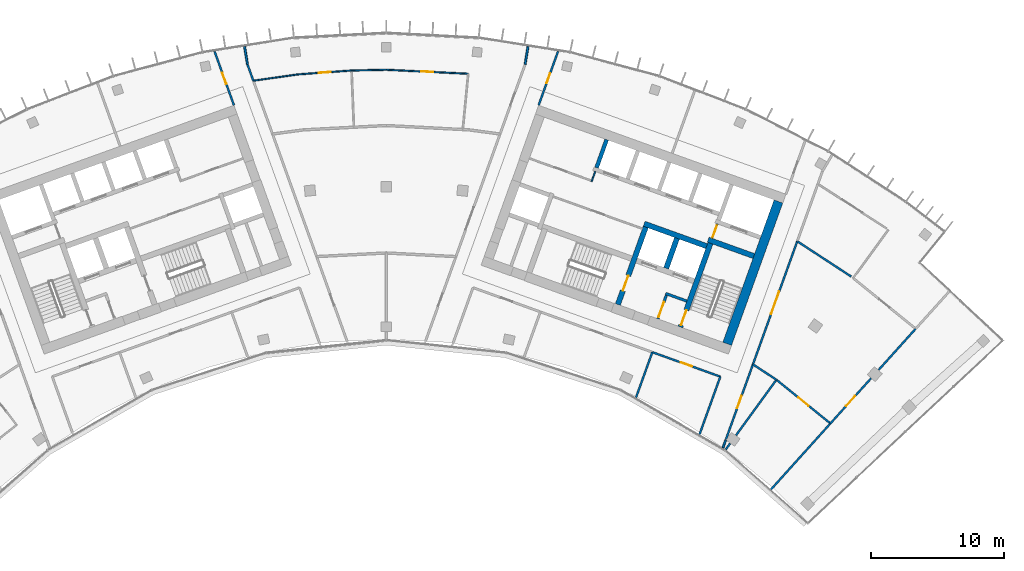
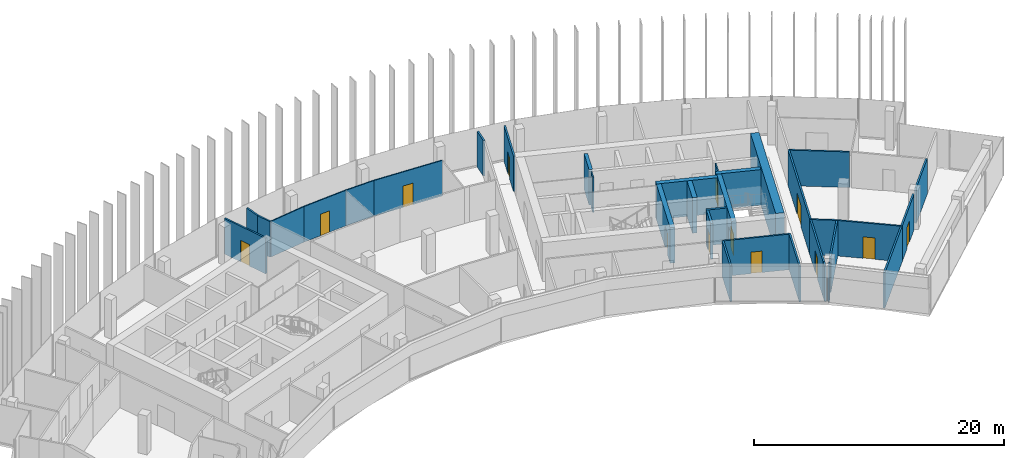
# One storey, part 16 of 18: 34 walls, 13 doors, 13 openings.
"""IFC4 building model written with IfcOpenShell, lengths in metres."""

from ifc_helpers import new_model, si_unit, direction, frame, frame_2d, origin, place, context, subcontext, project, spatial, rectangle, extrude, material, layer, layer_set, type_object, element, fill, save


model = new_model("IFC4")

# Units and contexts
model_context = context("Model", 3, precision=1e-05, world=origin(), true_north=direction((0.0, 1.0)))
body_context = subcontext(model_context, "Body", "Model", "MODEL_VIEW")
ifc_project = project(units=[si_unit("LENGTHUNIT", "METRE"), si_unit("AREAUNIT", "SQUARE_METRE"), si_unit("VOLUMEUNIT", "CUBIC_METRE"), si_unit("PLANEANGLEUNIT", "RADIAN"), si_unit("MASSUNIT", "GRAM", prefix="KILO")], contexts=[model_context])

# Site, building, storey
site_placement = place(None, origin())
site = spatial("IfcSite", under=ifc_project, at=site_placement, CompositionType="ELEMENT")
building_placement = place(site_placement, origin())
building = spatial("IfcBuilding", under=site, at=building_placement, Name="Stone Belt Terrace Tower", CompositionType="ELEMENT")
storey_placement = place(building_placement, frame((0.0, 0.0, 269.39990234375)))
storey = spatial("IfcBuildingStorey", under=building, at=storey_placement, Name="L65", CompositionType="ELEMENT", Elevation=269.39990234375)

# Wall, opening, door
ifc_material_1 = material(Name="Plasterboard partition")
ifc_layer_1 = layer(ifc_material_1, 0.10009765625)
ifc_layer_set_1 = layer_set([ifc_layer_1], Name="Core partition 100")
wall_type_1 = type_object("IfcWallType", Name="Core partition 100", PredefinedType="PARTITIONING", material=ifc_layer_set_1)
wall_1_placement = place(storey_placement, frame((24.555908203125, 51.10400390625, 0.0), z_axis=(0.0, 0.0, 1.0), x_axis=(0.338621735342, 0.94092258999, 0.0)))
wall_1 = element("IfcWall", 1, at=wall_1_placement, inside=storey, type_object=wall_type_1, Name="Core B wall", PredefinedType="PARTITIONING", context=body_context, shape_type="SweptSolid", body=[
    extrude(rectangle(XDim=1.14990234375, YDim=0.10009765625, at=frame_2d((0.574951171875, 0.0))), origin(), (0.0, 0.0, 1.0), 3.47998046875),
])
opening_1_placement = place(wall_1_placement, frame((0.050048828125, 0.0, 0.0)))
opening_1 = element("IfcOpeningElement", 2, at=opening_1_placement, cuts=wall_1, Name="Opening L65-C14", PredefinedType="OPENING", context=body_context, shape_type="SweptSolid", body=[
    extrude(rectangle(XDim=1.0, YDim=2.10009765625, at=frame_2d((0.5, 1.050048828125))), frame((0.0, 0.06005859375, 0.0), z_axis=(0.0, -1.0, 0.0), x_axis=(1.0, 0.0, 0.0)), (0.0, 0.0, 1.0), 0.1201171875),
])
ifc_material_2 = material(Name="Timber door leaf", Category="wood")
door_type_1 = type_object("IfcDoorType", Name="Core room door 1000", OperationType="SINGLE_SWING_LEFT", PredefinedType="DOOR", material=ifc_material_2)
door_1_placement = place(opening_1_placement, origin())
door_1 = element("IfcDoor", 3, at=door_1_placement, inside=storey, type_object=door_type_1, Name="Service lift lobby door core B", OperationType="SINGLE_SWING_LEFT", OverallHeight=2.10009765625, OverallWidth=1.0, PredefinedType="DOOR", context=body_context, shape_type="SweptSolid", body=[
    extrude(rectangle(XDim=1.0, YDim=2.10009765625, at=frame_2d((0.5, 1.050048828125))), frame((0.0, 0.02490234375, 0.0), z_axis=(0.0, -1.0, 0.0), x_axis=(1.0, 0.0, 0.0)), (0.0, 0.0, 1.0), 0.050048828125),
])
fill(opening_1, door_1)

# Walls
wall_2_placement = place(storey_placement, frame((15.46826171875, 55.384033203125, 0.0), z_axis=(0.0, 0.0, 1.0), x_axis=(0.338481684961, 0.940972979923, 0.0)))
element("IfcWall", 4, at=wall_2_placement, inside=storey, type_object=wall_type_1, Name="Core B wall", PredefinedType="PARTITIONING", context=body_context, shape_type="SweptSolid", body=[
    extrude(rectangle(XDim=0.7998046875, YDim=0.10009765625, at=frame_2d((0.39990234375, 0.0))), origin(), (0.0, 0.0, 1.0), 3.47998046875),
])
ifc_material_3 = material(Name="Concrete B60", Category="concrete")
ifc_layer_2 = layer(ifc_material_3, 0.699951171875)
ifc_layer_set_2 = layer_set([ifc_layer_2], Name="Core wall 700 B60")
wall_type_2 = type_object("IfcWallType", Name="Core wall 700 B60", PredefinedType="SHEAR", material=ifc_layer_set_2)
wall_3_placement = place(storey_placement, frame((25.679931640625, 43.153564453125, 0.0), z_axis=(0.0, 0.0, 1.0), x_axis=(0.338625431531, 0.940921259788, 0.0)))
element("IfcWall", 5, at=wall_3_placement, inside=storey, type_object=wall_type_2, Name="Core B wall end_b L65", PredefinedType="SHEAR", context=body_context, shape_type="SweptSolid", body=[
    extrude(rectangle(XDim=11.400146484375, YDim=0.699951171875, at=frame_2d((5.7001953125, 0.0))), origin(), (0.0, 0.0, 1.0), 3.800048828125),
])
ifc_material_4 = material(Name="Concrete B80", Category="concrete")
ifc_layer_3 = layer(ifc_material_4, 0.39990234375)
ifc_layer_set_3 = layer_set([ifc_layer_3], Name="Fire-fighting lift shaft wall 400")
wall_type_3 = type_object("IfcWallType", Name="Fire-fighting lift shaft wall 400", PredefinedType="SHEAR", material=ifc_layer_set_3)
wall_4_placement = place(storey_placement, frame((24.130615234375, 50.512939453125, 0.0), z_axis=(0.0, 0.0, 1.0), x_axis=(-0.94091168377, 0.338652038744, 0.0)))
element("IfcWall", 6, at=wall_4_placement, inside=storey, type_object=wall_type_3, Name="Core B wall", PredefinedType="SHEAR", context=body_context, shape_type="SweptSolid", body=[
    extrude(rectangle(XDim=5.000244140625, YDim=0.39990234375, at=frame_2d((2.5, 0.0))), origin(), (0.0, 0.0, 1.0), 3.47998046875),
])
wall_5_placement = place(storey_placement, frame((21.0859375, 48.845458984375, 0.0), z_axis=(0.0, 0.0, 1.0), x_axis=(0.338629416206, 0.940919825745, 0.0)))
element("IfcWall", 7, at=wall_5_placement, inside=storey, type_object=wall_type_3, Name="Core B wall", PredefinedType="SHEAR", context=body_context, shape_type="SweptSolid", body=[
    extrude(rectangle(XDim=2.400146484375, YDim=0.39990234375, at=frame_2d((1.2001953125, 0.0))), origin(), (0.0, 0.0, 1.0), 3.47998046875),
])
ifc_layer_4 = layer(ifc_material_4, 0.300048828125)
ifc_layer_set_4 = layer_set([ifc_layer_4], Name="Lift shaft wall 300")
wall_type_4 = type_object("IfcWallType", Name="Lift shaft wall 300", PredefinedType="SHEAR", material=ifc_layer_set_4)
wall_6_placement = place(storey_placement, frame((15.8408203125, 56.419189453125, 0.0), z_axis=(0.0, 0.0, 1.0), x_axis=(0.338569601369, 0.940941350472, 0.0)))
element("IfcWall", 8, at=wall_6_placement, inside=storey, type_object=wall_type_4, Name="Core B wall", PredefinedType="SHEAR", context=body_context, shape_type="SweptSolid", body=[
    extrude(rectangle(XDim=2.249755859375, YDim=0.300048828125, at=frame_2d((1.125, 0.0))), origin(), (0.0, 0.0, 1.0), 3.47998046875),
])

# Wall, opening, door
ifc_material_5 = material(Name="Gypsum board partition")
ifc_layer_5 = layer(ifc_material_5, 0.10009765625)
ifc_layer_set_5 = layer_set([ifc_layer_5], Name="PARTITION 100")
wall_type_5 = type_object("IfcWallType", Name="PARTITION 100", PredefinedType="PARTITIONING", material=ifc_layer_set_5)
wall_7_placement = place(storey_placement, frame((-2.615966796875, 63.74609375, 0.0), z_axis=(0.0, 0.0, 1.0), x_axis=(-0.997341183584, -0.072873613378, 0.0)))
wall_7 = element("IfcWall", 9, at=wall_7_placement, inside=storey, type_object=wall_type_5, Name="L65/wall/i079", PredefinedType="PARTITIONING", context=body_context, shape_type="SweptSolid", body=[
    extrude(rectangle(XDim=4.063720703125, YDim=0.10009765625, at=frame_2d((2.03173828125, 0.0))), origin(), (0.0, 0.0, 1.0), 3.47998046875),
])
opening_2_placement = place(wall_7_placement, frame((1.581787109375, 0.0, 0.0)))
opening_2 = element("IfcOpeningElement", 10, at=opening_2_placement, cuts=wall_7, Name="Opening D-E1-28", PredefinedType="OPENING", context=body_context, shape_type="SweptSolid", body=[
    extrude(rectangle(XDim=0.89990234375, YDim=2.10009765625, at=frame_2d((0.449951171875, 1.050048828125))), frame((0.0, 0.06005859375, 0.0), z_axis=(0.0, -1.0, 0.0), x_axis=(1.0, 0.0, 0.0)), (0.0, 0.0, 1.0), 0.1201171875),
])
door_type_2 = type_object("IfcDoorType", Name="OFFICE DOOR 900 X 2100", OperationType="NOTDEFINED", PredefinedType="DOOR", material=ifc_material_2)
door_2_placement = place(opening_2_placement, origin())
door_2 = element("IfcDoor", 11, at=door_2_placement, inside=storey, type_object=door_type_2, Name="L65/door/i28", OperationType="SINGLE_SWING_RIGHT", OverallHeight=2.10009765625, OverallWidth=0.89990234375, PredefinedType="DOOR", context=body_context, shape_type="SweptSolid", body=[
    extrude(rectangle(XDim=0.89990234375, YDim=2.10009765625, at=frame_2d((0.449951171875, 1.050048828125))), frame((0.0, 0.02490234375, 0.0), z_axis=(0.0, -1.0, 0.0), x_axis=(1.0, 0.0, 0.0)), (0.0, 0.0, 1.0), 0.050048828125),
])
fill(opening_2, door_2)

# Wall
wall_8_placement = place(storey_placement, frame((-6.6689453125, 63.449951171875, 0.0), z_axis=(0.0, 0.0, 1.0), x_axis=(-0.989995655043, -0.141097849012, 0.0)))
element("IfcWall", 12, at=wall_8_placement, inside=storey, type_object=wall_type_5, Name="L65/wall/i080", PredefinedType="PARTITIONING", context=body_context, shape_type="SweptSolid", body=[
    extrude(rectangle(XDim=3.381103515625, YDim=0.10009765625, at=frame_2d((1.6904296875, 0.0))), origin(), (0.0, 0.0, 1.0), 3.47998046875),
])

# Wall, opening, door
wall_9_placement = place(storey_placement, frame((6.1708984375, 63.5009765625, 0.0), z_axis=(0.0, 0.0, 1.0), x_axis=(-0.998827639329, 0.048408128587, 0.0)))
wall_9 = element("IfcWall", 13, at=wall_9_placement, inside=storey, type_object=wall_type_5, Name="L65/wall/i082", PredefinedType="PARTITIONING", context=body_context, shape_type="SweptSolid", body=[
    extrude(rectangle(XDim=6.17822265625, YDim=0.10009765625, at=frame_2d((3.089111328125, 0.0))), origin(), (0.0, 0.0, 1.0), 3.47998046875),
])
opening_3_placement = place(wall_9_placement, frame((2.63916015625, 0.0, 0.0)))
opening_3 = element("IfcOpeningElement", 14, at=opening_3_placement, cuts=wall_9, Name="Opening D-E1-29", PredefinedType="OPENING", context=body_context, shape_type="SweptSolid", body=[
    extrude(rectangle(XDim=0.89990234375, YDim=2.10009765625, at=frame_2d((0.449951171875, 1.050048828125))), frame((0.0, 0.06005859375, 0.0), z_axis=(0.0, -1.0, 0.0), x_axis=(1.0, 0.0, 0.0)), (0.0, 0.0, 1.0), 0.1201171875),
])
door_3_placement = place(opening_3_placement, origin())
door_3 = element("IfcDoor", 15, at=door_3_placement, inside=storey, type_object=door_type_2, Name="L65/door/i29", OperationType="SINGLE_SWING_RIGHT", OverallHeight=2.10009765625, OverallWidth=0.89990234375, PredefinedType="DOOR", context=body_context, shape_type="SweptSolid", body=[
    extrude(rectangle(XDim=0.89990234375, YDim=2.10009765625, at=frame_2d((0.449951171875, 1.050048828125))), frame((0.0, 0.02490234375, 0.0), z_axis=(0.0, -1.0, 0.0), x_axis=(1.0, 0.0, 0.0)), (0.0, 0.0, 1.0), 0.050048828125),
])
fill(opening_3, door_3)

# Wall
wall_10_placement = place(storey_placement, frame((0.0, 63.800048828125, 0.0), z_axis=(0.0, 0.0, 1.0), x_axis=(-0.999787366511, -0.020620906019, 0.0)))
element("IfcWall", 16, at=wall_10_placement, inside=storey, type_object=wall_type_5, Name="L65/wall/i083", PredefinedType="PARTITIONING", context=body_context, shape_type="SweptSolid", body=[
    extrude(rectangle(XDim=2.616455078125, YDim=0.10009765625, at=frame_2d((1.30810546875, 0.0))), origin(), (0.0, 0.0, 1.0), 3.47998046875),
])

# Wall, opening, door
ifc_layer_6 = layer(ifc_material_5, 0.14990234375)
ifc_layer_set_6 = layer_set([ifc_layer_6], Name="PARTITION 150 EI 60")
wall_type_6 = type_object("IfcWallType", Name="PARTITION 150 EI 60", PredefinedType="PARTITIONING", material=ifc_layer_set_6)
wall_11_placement = place(storey_placement, frame((-11.47607421875, 61.125, 0.0), z_axis=(0.0, 0.0, 1.0), x_axis=(-0.338779570005, 0.940865773077, 0.0)))
wall_11 = element("IfcWall", 17, at=wall_11_placement, inside=storey, type_object=wall_type_6, Name="L65/wall/i010", PredefinedType="PARTITIONING", context=body_context, shape_type="SweptSolid", body=[
    extrude(rectangle(XDim=4.315185546875, YDim=0.14990234375, at=frame_2d((2.15771484375, 0.0))), origin(), (0.0, 0.0, 1.0), 3.47998046875),
])
opening_4_placement = place(wall_11_placement, frame((1.70751953125, 0.0, 0.0)))
opening_4 = element("IfcOpeningElement", 18, at=opening_4_placement, cuts=wall_11, Name="Opening D-E1-05", PredefinedType="OPENING", context=body_context, shape_type="SweptSolid", body=[
    extrude(rectangle(XDim=0.89990234375, YDim=2.10009765625, at=frame_2d((0.449951171875, 1.050048828125))), frame((0.0, 0.0849609375, 0.0), z_axis=(0.0, -1.0, 0.0), x_axis=(1.0, 0.0, 0.0)), (0.0, 0.0, 1.0), 0.169921875),
])
door_4_placement = place(opening_4_placement, origin())
door_4 = element("IfcDoor", 19, at=door_4_placement, inside=storey, type_object=door_type_2, Name="L65/door/i05", OperationType="SINGLE_SWING_RIGHT", OverallHeight=2.10009765625, OverallWidth=0.89990234375, PredefinedType="DOOR", context=body_context, shape_type="SweptSolid", body=[
    extrude(rectangle(XDim=0.89990234375, YDim=2.10009765625, at=frame_2d((0.449951171875, 1.050048828125))), frame((0.0, 0.02490234375, 0.0), z_axis=(0.0, -1.0, 0.0), x_axis=(1.0, 0.0, 0.0)), (0.0, 0.0, 1.0), 0.050048828125),
])
fill(opening_4, door_4)

# Walls
wall_12_placement = place(storey_placement, frame((-10.676025390625, 65.544677734375, 0.0), z_axis=(0.0, 0.0, 1.0), x_axis=(0.161206587406, -0.986920683833, 0.0)))
element("IfcWall", 20, at=wall_12_placement, inside=storey, type_object=wall_type_6, Name="L65/wall/i012", PredefinedType="PARTITIONING", context=body_context, shape_type="SweptSolid", body=[
    extrude(rectangle(XDim=1.364501953125, YDim=0.14990234375, at=frame_2d((0.68212890625, 0.0))), origin(), (0.0, 0.0, 1.0), 3.47998046875),
])
wall_13_placement = place(storey_placement, frame((-10.4560546875, 64.197021484375, 0.0), z_axis=(0.0, 0.0, 1.0), x_axis=(0.338937678116, -0.94080882774, 0.0)))
element("IfcWall", 21, at=wall_13_placement, inside=storey, type_object=wall_type_6, Name="L65/wall/i013", PredefinedType="PARTITIONING", context=body_context, shape_type="SweptSolid", body=[
    extrude(rectangle(XDim=1.307373046875, YDim=0.14990234375, at=frame_2d((0.65380859375, 0.0))), origin(), (0.0, 0.0, 1.0), 3.47998046875),
])

# Wall, opening, door
wall_14_placement = place(storey_placement, frame((12.93798828125, 65.18505859375, 0.0), z_axis=(0.0, 0.0, 1.0), x_axis=(-0.338779570005, -0.940865773077, 0.0)))
wall_14 = element("IfcWall", 22, at=wall_14_placement, inside=storey, type_object=wall_type_6, Name="L65/wall/i023", PredefinedType="PARTITIONING", context=body_context, shape_type="SweptSolid", body=[
    extrude(rectangle(XDim=4.315185546875, YDim=0.14990234375, at=frame_2d((2.15771484375, 0.0))), origin(), (0.0, 0.0, 1.0), 3.47998046875),
])
opening_5_placement = place(wall_14_placement, frame((1.757568359375, 0.0, 0.0)))
opening_5 = element("IfcOpeningElement", 23, at=opening_5_placement, cuts=wall_14, Name="Opening D-E1-09", PredefinedType="OPENING", context=body_context, shape_type="SweptSolid", body=[
    extrude(rectangle(XDim=0.800048828125, YDim=2.10009765625, at=frame_2d((0.39990234375, 1.050048828125))), frame((0.0, 0.0849609375, 0.0), z_axis=(0.0, -1.0, 0.0), x_axis=(1.0, 0.0, 0.0)), (0.0, 0.0, 1.0), 0.169921875),
])
door_type_3 = type_object("IfcDoorType", Name="STORE DOOR 800 X 2100", OperationType="NOTDEFINED", PredefinedType="DOOR", material=ifc_material_2)
door_5_placement = place(opening_5_placement, origin())
door_5 = element("IfcDoor", 24, at=door_5_placement, inside=storey, type_object=door_type_3, Name="L65/door/i09", OperationType="SINGLE_SWING_RIGHT", OverallHeight=2.10009765625, OverallWidth=0.800048828125, PredefinedType="DOOR", context=body_context, shape_type="SweptSolid", body=[
    extrude(rectangle(XDim=0.800048828125, YDim=2.10009765625, at=frame_2d((0.39990234375, 1.050048828125))), frame((0.0, 0.02490234375, 0.0), z_axis=(0.0, -1.0, 0.0), x_axis=(1.0, 0.0, 0.0)), (0.0, 0.0, 1.0), 0.050048828125),
])
fill(opening_5, door_5)

# Walls
wall_15_placement = place(storey_placement, frame((10.4560546875, 64.197998046875, 0.0), z_axis=(0.0, 0.0, 1.0), x_axis=(0.161206587406, 0.986920683833, 0.0)))
element("IfcWall", 25, at=wall_15_placement, inside=storey, type_object=wall_type_6, Name="L65/wall/i026", PredefinedType="PARTITIONING", context=body_context, shape_type="SweptSolid", body=[
    extrude(rectangle(XDim=1.364501953125, YDim=0.14990234375, at=frame_2d((0.68212890625, 0.0))), origin(), (0.0, 0.0, 1.0), 3.47998046875),
])
wall_16_placement = place(storey_placement, frame((23.596435546875, 36.3310546875, 0.0), z_axis=(0.0, 0.0, 1.0), x_axis=(0.338672803798, 0.940904209773, 0.0)))
element("IfcWall", 26, at=wall_16_placement, inside=storey, type_object=wall_type_6, Name="L65/wall/i028", PredefinedType="PARTITIONING", context=body_context, shape_type="SweptSolid", body=[
    extrude(rectangle(XDim=4.631591796875, YDim=0.14990234375, at=frame_2d((2.31591796875, 0.0))), origin(), (0.0, 0.0, 1.0), 3.47998046875),
])

# Wall, opening, door
wall_17_placement = place(storey_placement, frame((27.6220703125, 41.613037109375, 0.0), z_axis=(0.0, 0.0, 1.0), x_axis=(-0.338636303074, -0.940917347188, 0.0)))
wall_17 = element("IfcWall", 27, at=wall_17_placement, inside=storey, type_object=wall_type_6, Name="L65/wall/i030", PredefinedType="PARTITIONING", context=body_context, shape_type="SweptSolid", body=[
    extrude(rectangle(XDim=6.029296875, YDim=0.14990234375, at=frame_2d((3.0146484375, 0.0))), origin(), (0.0, 0.0, 1.0), 3.47998046875),
])
opening_6_placement = place(wall_17_placement, frame((2.5146484375, 0.0, 0.0)))
opening_6 = element("IfcOpeningElement", 28, at=opening_6_placement, cuts=wall_17, Name="Opening D-E1-20", PredefinedType="OPENING", context=body_context, shape_type="SweptSolid", body=[
    extrude(rectangle(XDim=1.0, YDim=2.10009765625, at=frame_2d((0.5, 1.050048828125))), frame((0.0, 0.0849609375, 0.0), z_axis=(0.0, -1.0, 0.0), x_axis=(1.0, 0.0, 0.0)), (0.0, 0.0, 1.0), 0.169921875),
])
ifc_material_6 = material(Name="Timber fire door leaf", Category="wood")
door_type_4 = type_object("IfcDoorType", Name="TENANCY ENTRANCE DOOR 1000 X 2100", OperationType="NOTDEFINED", PredefinedType="DOOR", material=ifc_material_6)
door_6_placement = place(opening_6_placement, origin())
door_6 = element("IfcDoor", 29, at=door_6_placement, inside=storey, type_object=door_type_4, Name="L65/door/i20", OperationType="SINGLE_SWING_RIGHT", OverallHeight=2.10009765625, OverallWidth=1.0, PredefinedType="DOOR", context=body_context, shape_type="SweptSolid", body=[
    extrude(rectangle(XDim=1.0, YDim=2.10009765625, at=frame_2d((0.5, 1.050048828125))), frame((0.0, 0.02490234375, 0.0), z_axis=(0.0, -1.0, 0.0), x_axis=(1.0, 0.0, 0.0)), (0.0, 0.0, 1.0), 0.050048828125),
])
fill(opening_6, door_6)

# Wall
wall_18_placement = place(storey_placement, frame((25.56591796875, 35.900146484375, 0.0), z_axis=(0.0, 0.0, 1.0), x_axis=(-0.338533716033, -0.940954261964, 0.0)))
element("IfcWall", 30, at=wall_18_placement, inside=storey, type_object=wall_type_6, Name="L65/wall/i031", PredefinedType="PARTITIONING", context=body_context, shape_type="SweptSolid", body=[
    extrude(rectangle(XDim=0.60498046875, YDim=0.14990234375, at=frame_2d((0.302490234375, 0.0))), origin(), (0.0, 0.0, 1.0), 3.47998046875),
])

# Wall, opening, door
wall_19_placement = place(storey_placement, frame((30.9599609375, 50.885986328125, 0.0), z_axis=(0.0, 0.0, 1.0), x_axis=(-0.338672159599, -0.940904441648, 0.0)))
wall_19 = element("IfcWall", 31, at=wall_19_placement, inside=storey, type_object=wall_type_6, Name="L65/wall/i035", PredefinedType="PARTITIONING", context=body_context, shape_type="SweptSolid", body=[
    extrude(rectangle(XDim=9.8681640625, YDim=0.14990234375, at=frame_2d((4.93408203125, 0.0))), origin(), (0.0, 0.0, 1.0), 3.47998046875),
])
opening_7_placement = place(wall_19_placement, frame((4.0341796875, 0.0, 0.0)))
opening_7 = element("IfcOpeningElement", 32, at=opening_7_placement, cuts=wall_19, Name="Opening D-E1-24", PredefinedType="OPENING", context=body_context, shape_type="SweptSolid", body=[
    extrude(rectangle(XDim=1.800048828125, YDim=2.10009765625, at=frame_2d((0.89990234375, 1.050048828125))), frame((0.0, 0.0849609375, 0.0), z_axis=(0.0, -1.0, 0.0), x_axis=(1.0, 0.0, 0.0)), (0.0, 0.0, 1.0), 0.169921875),
])
door_type_5 = type_object("IfcDoorType", Name="DOUBLE DOOR 1800 X 2100", OperationType="DOUBLE_DOOR_SINGLE_SWING", PredefinedType="DOOR", material=ifc_material_2)
door_7_placement = place(opening_7_placement, origin())
door_7 = element("IfcDoor", 33, at=door_7_placement, inside=storey, type_object=door_type_5, Name="L65/door/i24", OperationType="DOUBLE_DOOR_SINGLE_SWING", OverallHeight=2.10009765625, OverallWidth=1.800048828125, PredefinedType="DOOR", context=body_context, shape_type="SweptSolid", body=[
    extrude(rectangle(XDim=1.800048828125, YDim=2.10009765625, at=frame_2d((0.89990234375, 1.050048828125))), frame((0.0, 0.02490234375, 0.0), z_axis=(0.0, -1.0, 0.0), x_axis=(1.0, 0.0, 0.0)), (0.0, 0.0, 1.0), 0.050048828125),
])
fill(opening_7, door_7)

wall_20_placement = place(storey_placement, frame((25.1630859375, 40.68310546875, 0.0), z_axis=(0.0, 0.0, 1.0), x_axis=(-0.940955920233, 0.338529106841, 0.0)))
wall_20 = element("IfcWall", 34, at=wall_20_placement, inside=storey, type_object=wall_type_6, Name="L65/wall/i038", PredefinedType="PARTITIONING", context=body_context, shape_type="SweptSolid", body=[
    extrude(rectangle(XDim=5.449951171875, YDim=0.14990234375, at=frame_2d((2.72509765625, 0.0))), origin(), (0.0, 0.0, 1.0), 3.47998046875),
])
opening_8_placement = place(wall_20_placement, frame((2.27490234375, 0.0, 0.0)))
opening_8 = element("IfcOpeningElement", 35, at=opening_8_placement, cuts=wall_20, Name="Opening D-E1-08", PredefinedType="OPENING", context=body_context, shape_type="SweptSolid", body=[
    extrude(rectangle(XDim=0.89990234375, YDim=2.10009765625, at=frame_2d((0.449951171875, 1.050048828125))), frame((0.0, 0.0849609375, 0.0), z_axis=(0.0, -1.0, 0.0), x_axis=(1.0, 0.0, 0.0)), (0.0, 0.0, 1.0), 0.169921875),
])
door_8_placement = place(opening_8_placement, origin())
door_8 = element("IfcDoor", 36, at=door_8_placement, inside=storey, type_object=door_type_2, Name="L65/door/i08", OperationType="SINGLE_SWING_RIGHT", OverallHeight=2.10009765625, OverallWidth=0.89990234375, PredefinedType="DOOR", context=body_context, shape_type="SweptSolid", body=[
    extrude(rectangle(XDim=0.89990234375, YDim=2.10009765625, at=frame_2d((0.449951171875, 1.050048828125))), frame((0.0, 0.02490234375, 0.0), z_axis=(0.0, -1.0, 0.0), x_axis=(1.0, 0.0, 0.0)), (0.0, 0.0, 1.0), 0.050048828125),
])
fill(opening_8, door_8)

# Walls
wall_21_placement = place(storey_placement, frame((20.041015625, 42.52587890625, 0.0), z_axis=(0.0, 0.0, 1.0), x_axis=(-0.338584271285, -0.940936071813, 0.0)))
element("IfcWall", 37, at=wall_21_placement, inside=storey, type_object=wall_type_6, Name="L65/wall/i040", PredefinedType="PARTITIONING", context=body_context, shape_type="SweptSolid", body=[
    extrude(rectangle(XDim=3.64501953125, YDim=0.14990234375, at=frame_2d((1.822509765625, 0.0))), origin(), (0.0, 0.0, 1.0), 3.47998046875),
])
wall_22_placement = place(storey_placement, frame((28.97802734375, 32.182373046875, 0.0), z_axis=(0.0, 0.0, 1.0), x_axis=(0.669149941442, 0.743127415635, 0.0)))
element("IfcWall", 38, at=wall_22_placement, inside=storey, type_object=wall_type_6, Name="L65/wall/i063", PredefinedType="PARTITIONING", context=body_context, shape_type="SweptSolid", body=[
    extrude(rectangle(XDim=6.699462890625, YDim=0.14990234375, at=frame_2d((3.349609375, 0.0))), origin(), (0.0, 0.0, 1.0), 3.47998046875),
])

# Wall, opening, door
wall_23_placement = place(storey_placement, frame((36.514892578125, 40.552978515625, 0.0), z_axis=(0.0, 0.0, 1.0), x_axis=(-0.669112093369, -0.74316149423, 0.0)))
wall_23 = element("IfcWall", 39, at=wall_23_placement, inside=storey, type_object=wall_type_6, Name="L65/wall/i065", PredefinedType="PARTITIONING", context=body_context, shape_type="SweptSolid", body=[
    extrude(rectangle(XDim=4.576171875, YDim=0.14990234375, at=frame_2d((2.2880859375, 0.0))), origin(), (0.0, 0.0, 1.0), 3.47998046875),
])
opening_9_placement = place(wall_23_placement, frame((1.7880859375, 0.0, 0.0)))
opening_9 = element("IfcOpeningElement", 40, at=opening_9_placement, cuts=wall_23, Name="Opening D-E1-19", PredefinedType="OPENING", context=body_context, shape_type="SweptSolid", body=[
    extrude(rectangle(XDim=1.0, YDim=2.10009765625, at=frame_2d((0.5, 1.050048828125))), frame((0.0, 0.0849609375, 0.0), z_axis=(0.0, -1.0, 0.0), x_axis=(1.0, 0.0, 0.0)), (0.0, 0.0, 1.0), 0.169921875),
])
door_9_placement = place(opening_9_placement, origin())
door_9 = element("IfcDoor", 41, at=door_9_placement, inside=storey, type_object=door_type_4, Name="L65/door/i19", OperationType="SINGLE_SWING_RIGHT", OverallHeight=2.10009765625, OverallWidth=1.0, PredefinedType="DOOR", context=body_context, shape_type="SweptSolid", body=[
    extrude(rectangle(XDim=1.0, YDim=2.10009765625, at=frame_2d((0.5, 1.050048828125))), frame((0.0, 0.02490234375, 0.0), z_axis=(0.0, -1.0, 0.0), x_axis=(1.0, 0.0, 0.0)), (0.0, 0.0, 1.0), 0.050048828125),
])
fill(opening_9, door_9)

# Walls
wall_24_placement = place(storey_placement, frame((37.09033203125, 41.192138671875, 0.0), z_axis=(0.0, 0.0, 1.0), x_axis=(0.669123017422, 0.743151658517, 0.0)))
element("IfcWall", 42, at=wall_24_placement, inside=storey, type_object=wall_type_6, Name="L65/wall/i066", PredefinedType="PARTITIONING", context=body_context, shape_type="SweptSolid", body=[
    extrude(rectangle(XDim=4.175048828125, YDim=0.14990234375, at=frame_2d((2.08740234375, 0.0))), origin(), (0.0, 0.0, 1.0), 3.47998046875),
])
wall_25_placement = place(storey_placement, frame((29.388916015625, 40.450927734375, 0.0), z_axis=(0.0, 0.0, 1.0), x_axis=(-0.587792932673, -0.809011414196, 0.0)))
element("IfcWall", 43, at=wall_25_placement, inside=storey, type_object=wall_type_6, Name="L65/wall/i067", PredefinedType="PARTITIONING", context=body_context, shape_type="SweptSolid", body=[
    extrude(rectangle(XDim=5.1748046875, YDim=0.14990234375, at=frame_2d((2.58740234375, 0.0))), origin(), (0.0, 0.0, 1.0), 3.47998046875),
])
wall_26_placement = place(storey_placement, frame((25.900634765625, 35.6494140625, 0.0), z_axis=(0.0, 0.0, 1.0), x_axis=(-0.588120346537, -0.808773428093, 0.0)))
element("IfcWall", 44, at=wall_26_placement, inside=storey, type_object=wall_type_6, Name="L65/wall/i068", PredefinedType="PARTITIONING", context=body_context, shape_type="SweptSolid", body=[
    extrude(rectangle(XDim=0.5654296875, YDim=0.14990234375, at=frame_2d((0.28271484375, 0.0))), origin(), (0.0, 0.0, 1.0), 3.47998046875),
])
wall_27_placement = place(storey_placement, frame((27.6201171875, 41.60693359375, 0.0), z_axis=(0.0, 0.0, 1.0), x_axis=(0.837081543775, -0.547078137995, 0.0)))
element("IfcWall", 45, at=wall_27_placement, inside=storey, type_object=wall_type_6, Name="L65/wall/i069", PredefinedType="PARTITIONING", context=body_context, shape_type="SweptSolid", body=[
    extrude(rectangle(XDim=2.113037109375, YDim=0.14990234375, at=frame_2d((1.056640625, 0.0))), origin(), (0.0, 0.0, 1.0), 3.47998046875),
])

# Wall, opening, door
wall_28_placement = place(storey_placement, frame((33.45703125, 37.156982421875, 0.0), z_axis=(0.0, 0.0, 1.0), x_axis=(-0.777178610653, 0.629280070512, 0.0)))
wall_28 = element("IfcWall", 46, at=wall_28_placement, inside=storey, type_object=wall_type_6, Name="L65/wall/i070", PredefinedType="PARTITIONING", context=body_context, shape_type="SweptSolid", body=[
    extrude(rectangle(XDim=5.234375, YDim=0.14990234375, at=frame_2d((2.6171875, 0.0))), origin(), (0.0, 0.0, 1.0), 3.47998046875),
])
opening_10_placement = place(wall_28_placement, frame((2.1171875, 0.0, 0.0)))
opening_10 = element("IfcOpeningElement", 47, at=opening_10_placement, cuts=wall_28, Name="Opening D-E1-21", PredefinedType="OPENING", context=body_context, shape_type="SweptSolid", body=[
    extrude(rectangle(XDim=1.0, YDim=2.10009765625, at=frame_2d((0.5, 1.050048828125))), frame((0.0, 0.0849609375, 0.0), z_axis=(0.0, -1.0, 0.0), x_axis=(1.0, 0.0, 0.0)), (0.0, 0.0, 1.0), 0.169921875),
])
door_10_placement = place(opening_10_placement, origin())
door_10 = element("IfcDoor", 48, at=door_10_placement, inside=storey, type_object=door_type_4, Name="L65/door/i21", OperationType="SINGLE_SWING_RIGHT", OverallHeight=2.10009765625, OverallWidth=1.0, PredefinedType="DOOR", context=body_context, shape_type="SweptSolid", body=[
    extrude(rectangle(XDim=1.0, YDim=2.10009765625, at=frame_2d((0.5, 1.050048828125))), frame((0.0, 0.02490234375, 0.0), z_axis=(0.0, -1.0, 0.0), x_axis=(1.0, 0.0, 0.0)), (0.0, 0.0, 1.0), 0.050048828125),
])
fill(opening_10, door_10)

# Walls
wall_29_placement = place(storey_placement, frame((35.031982421875, 48.217041015625, 0.0), z_axis=(0.0, 0.0, 1.0), x_axis=(-0.837055321155, 0.547118258995, 0.0)))
element("IfcWall", 49, at=wall_29_placement, inside=storey, type_object=wall_type_6, Name="L65/wall/i074", PredefinedType="PARTITIONING", context=body_context, shape_type="SweptSolid", body=[
    extrude(rectangle(XDim=4.866943359375, YDim=0.14990234375, at=frame_2d((2.43359375, 0.0))), origin(), (0.0, 0.0, 1.0), 3.47998046875),
])
ifc_material_7 = material(Name="Concrete masonry block", Category="masonry")
ifc_layer_7 = layer(ifc_material_7, 0.199951171875)
ifc_layer_set_7 = layer_set([ifc_layer_7], Name="Rated lobby wall 200")
wall_type_7 = type_object("IfcWallType", Name="Rated lobby wall 200", PredefinedType="PARTITIONING", material=ifc_layer_set_7)
wall_30_placement = place(storey_placement, frame((22.640625, 46.373046875, 0.0), z_axis=(0.0, 0.0, 1.0), x_axis=(-0.940966110313, 0.338500781747, 0.0)))
element("IfcWall", 50, at=wall_30_placement, inside=storey, type_object=wall_type_7, Name="Core B wall", PredefinedType="PARTITIONING", context=body_context, shape_type="SweptSolid", body=[
    extrude(rectangle(XDim=1.699951171875, YDim=0.199951171875, at=frame_2d((0.85009765625, 0.0))), origin(), (0.0, 0.0, 1.0), 3.47998046875),
])

# Wall, opening, door
wall_31_placement = place(storey_placement, frame((20.4580078125, 45.032958984375, 0.0), z_axis=(0.0, 0.0, 1.0), x_axis=(0.338573865316, 0.940939816208, 0.0)))
wall_31 = element("IfcWall", 51, at=wall_31_placement, inside=storey, type_object=wall_type_7, Name="Core B wall", PredefinedType="PARTITIONING", context=body_context, shape_type="SweptSolid", body=[
    extrude(rectangle(XDim=1.900146484375, YDim=0.199951171875, at=frame_2d((0.9501953125, 0.0))), origin(), (0.0, 0.0, 1.0), 3.47998046875),
])
opening_11_placement = place(wall_31_placement, frame((0.14990234375, 0.0, 0.0)))
opening_11 = element("IfcOpeningElement", 52, at=opening_11_placement, cuts=wall_31, Name="Opening L65-C17", PredefinedType="OPENING", context=body_context, shape_type="SweptSolid", body=[
    extrude(rectangle(XDim=1.199951171875, YDim=2.10009765625, at=frame_2d((0.60009765625, 1.050048828125))), frame((0.0, 0.10986328125, 0.0), z_axis=(0.0, -1.0, 0.0), x_axis=(1.0, 0.0, 0.0)), (0.0, 0.0, 1.0), 0.219970703125),
])
ifc_material_8 = material(Name="Steel door leaf", Category="steel")
door_type_6 = type_object("IfcDoorType", Name="Stair door 1200", OperationType="SINGLE_SWING_LEFT", PredefinedType="DOOR", material=ifc_material_8)
door_11_placement = place(opening_11_placement, origin())
door_11 = element("IfcDoor", 53, at=door_11_placement, inside=storey, type_object=door_type_6, Name="Stair airlock door core B", OperationType="SINGLE_SWING_LEFT", OverallHeight=2.10009765625, OverallWidth=1.199951171875, PredefinedType="DOOR", context=body_context, shape_type="SweptSolid", body=[
    extrude(rectangle(XDim=1.199951171875, YDim=2.10009765625, at=frame_2d((0.60009765625, 1.050048828125))), frame((0.0, 0.02490234375, 0.0), z_axis=(0.0, -1.0, 0.0), x_axis=(1.0, 0.0, 0.0)), (0.0, 0.0, 1.0), 0.050048828125),
])
fill(opening_11, door_11)

# Wall
ifc_layer_8 = layer(ifc_material_4, 0.39990234375)
ifc_layer_set_8 = layer_set([ifc_layer_8], Name="Stair enclosure wall 400")
wall_type_8 = type_object("IfcWallType", Name="Stair enclosure wall 400", PredefinedType="SHEAR", material=ifc_layer_set_8)
wall_32_placement = place(storey_placement, frame((27.687255859375, 49.764404296875, 0.0), z_axis=(0.0, 0.0, 1.0), x_axis=(-0.940918954884, 0.338631835981, 0.0)))
element("IfcWall", 54, at=wall_32_placement, inside=storey, type_object=wall_type_8, Name="Core B wall", PredefinedType="SHEAR", context=body_context, shape_type="SweptSolid", body=[
    extrude(rectangle(XDim=3.650146484375, YDim=0.39990234375, at=frame_2d((1.8251953125, 0.0))), origin(), (0.0, 0.0, 1.0), 3.47998046875),
])

# Wall, opening, door
wall_33_placement = place(storey_placement, frame((22.151611328125, 44.42333984375, 0.0), z_axis=(0.0, 0.0, 1.0), x_axis=(0.338625272931, 0.940921316866, 0.0)))
wall_33 = element("IfcWall", 55, at=wall_33_placement, inside=storey, type_object=wall_type_8, Name="Core B wall", PredefinedType="SHEAR", context=body_context, shape_type="SweptSolid", body=[
    extrude(rectangle(XDim=6.699951171875, YDim=0.39990234375, at=frame_2d((3.35009765625, 0.0))), origin(), (0.0, 0.0, 1.0), 3.47998046875),
])
opening_12_placement = place(wall_33_placement, frame((0.14990234375, 0.0, 0.0)))
opening_12 = element("IfcOpeningElement", 56, at=opening_12_placement, cuts=wall_33, Name="Opening L65-C16", PredefinedType="OPENING", context=body_context, shape_type="SweptSolid", body=[
    extrude(rectangle(XDim=1.199951171875, YDim=2.10009765625, at=frame_2d((0.60009765625, 1.050048828125))), frame((0.0, 0.2099609375, 0.0), z_axis=(0.0, -1.0, 0.0), x_axis=(1.0, 0.0, 0.0)), (0.0, 0.0, 1.0), 0.419921875),
])
door_12_placement = place(opening_12_placement, origin())
door_12 = element("IfcDoor", 57, at=door_12_placement, inside=storey, type_object=door_type_6, Name="Stair 1 door core B", OperationType="SINGLE_SWING_LEFT", OverallHeight=2.10009765625, OverallWidth=1.199951171875, PredefinedType="DOOR", context=body_context, shape_type="SweptSolid", body=[
    extrude(rectangle(XDim=1.199951171875, YDim=2.10009765625, at=frame_2d((0.60009765625, 1.050048828125))), frame((0.0, 0.02490234375, 0.0), z_axis=(0.0, -1.0, 0.0), x_axis=(1.0, 0.0, 0.0)), (0.0, 0.0, 1.0), 0.050048828125),
])
fill(opening_12, door_12)

wall_34_placement = place(storey_placement, frame((17.447021484375, 46.116455078125, 0.0), z_axis=(0.0, 0.0, 1.0), x_axis=(0.33860791464, 0.940927563707, 0.0)))
wall_34 = element("IfcWall", 58, at=wall_34_placement, inside=storey, type_object=wall_type_8, Name="Core B wall", PredefinedType="SHEAR", context=body_context, shape_type="SweptSolid", body=[
    extrude(rectangle(XDim=6.199951171875, YDim=0.39990234375, at=frame_2d((3.10009765625, 0.0))), origin(), (0.0, 0.0, 1.0), 3.47998046875),
])
opening_13_placement = place(wall_34_placement, frame((1.10009765625, 0.0, 0.0)))
opening_13 = element("IfcOpeningElement", 59, at=opening_13_placement, cuts=wall_34, Name="Opening L65-C19", PredefinedType="OPENING", context=body_context, shape_type="SweptSolid", body=[
    extrude(rectangle(XDim=1.199951171875, YDim=2.10009765625, at=frame_2d((0.60009765625, 1.050048828125))), frame((0.0, 0.2099609375, 0.0), z_axis=(0.0, -1.0, 0.0), x_axis=(1.0, 0.0, 0.0)), (0.0, 0.0, 1.0), 0.419921875),
])
door_13_placement = place(opening_13_placement, origin())
door_13 = element("IfcDoor", 60, at=door_13_placement, inside=storey, type_object=door_type_6, Name="Stair 2 door core B", OperationType="SINGLE_SWING_LEFT", OverallHeight=2.10009765625, OverallWidth=1.199951171875, PredefinedType="DOOR", context=body_context, shape_type="SweptSolid", body=[
    extrude(rectangle(XDim=1.199951171875, YDim=2.10009765625, at=frame_2d((0.60009765625, 1.050048828125))), frame((0.0, 0.02490234375, 0.0), z_axis=(0.0, -1.0, 0.0), x_axis=(1.0, 0.0, 0.0)), (0.0, 0.0, 1.0), 0.050048828125),
])
fill(opening_13, door_13)

save(model, "model.ifc")
